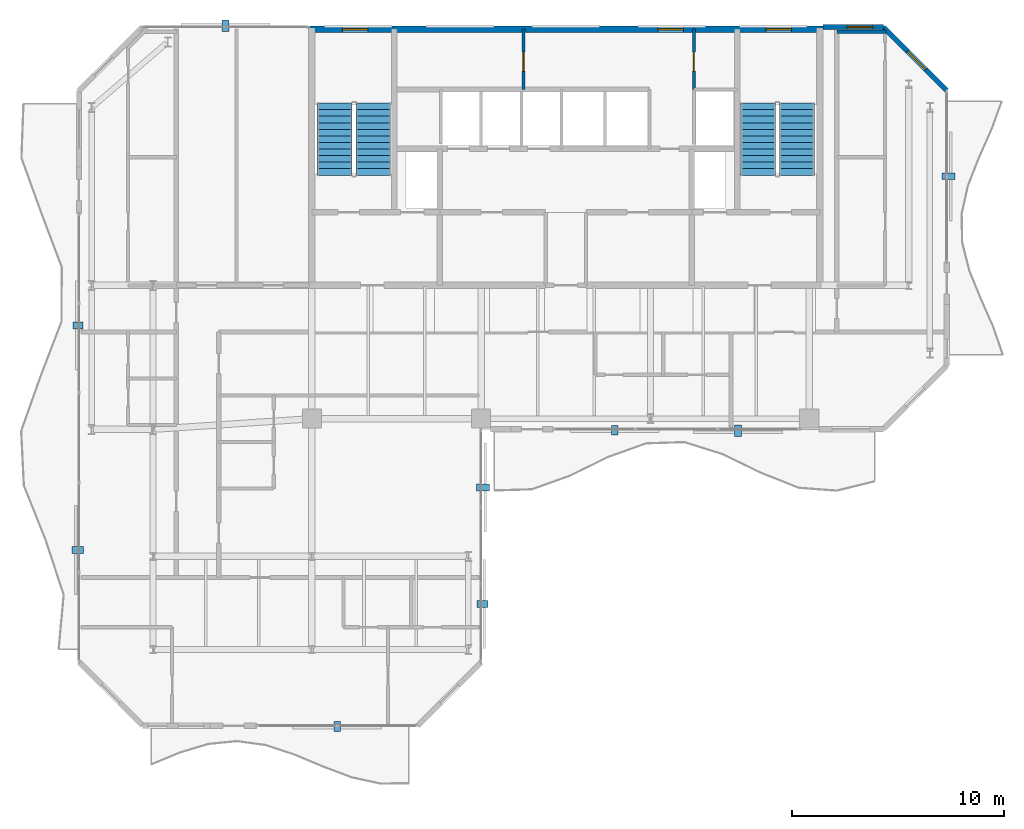
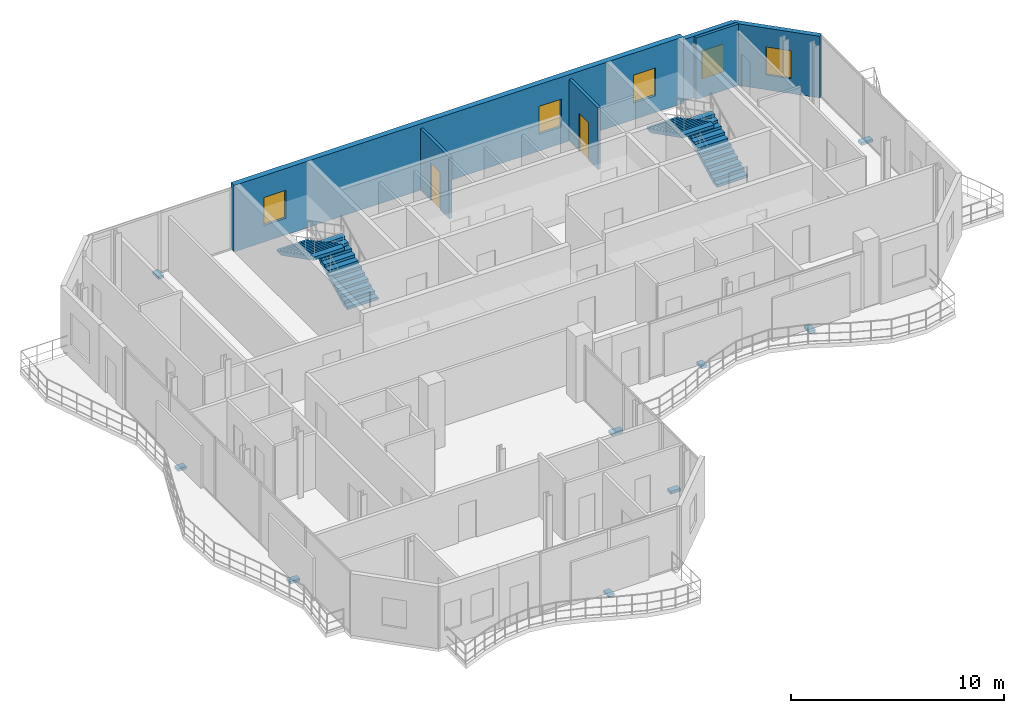
# One storey, part 20 of 23: 9 discrete accessories, 6 walls, 5 windows, 4 stair flights, 2 doors, 7 openings, 2 elements without a shape of their own.
"""IFC4 building model written with IfcOpenShell, lengths in metres."""

import ifcopenshell
import ifcopenshell.guid

model = None  # the IFC model being written
_history = None  # IfcOwnerHistory: only IFC2X3 demands one
_inside = {}  # id of a spatial element -> (the spatial element, [elements in it])
_under = {}  # id of a project, library or spatial element -> (it, [spatial elements below it])
_declared = {}  # id of a project -> (the project, [libraries it declares])
_typed = {}  # id of a type object -> (the type object, [elements of that type])
_made_of = {}  # id of a material, layer set ... -> (it, [elements and type objects made of it])


def new_model(schema):
    """Start an empty IFC model of exactly this schema.

    Asked for "IFC4X3", IfcOpenShell would pick the latest addendum, in which some entities
    have other attributes; the version numbers below select the first issue.
    IFC2X3 requires an IfcOwnerHistory on every rooted entity: one is made here for all.
    """
    global model, _history
    if schema == "IFC4X3":
        model = ifcopenshell.file(schema_version=(4, 3, 0, 0))
    else:
        model = ifcopenshell.file(schema=schema)
    _inside.clear()
    _under.clear()
    _declared.clear()
    _typed.clear()
    _made_of.clear()
    _history = None
    if model.schema == "IFC2X3":
        org = make("IfcOrganization", Name="unknown")
        user = make(
            "IfcPersonAndOrganization",
            ThePerson=make("IfcPerson", FamilyName="unknown"),
            TheOrganization=org,
        )
        app = make(
            "IfcApplication",
            ApplicationDeveloper=org,
            Version="unknown",
            ApplicationFullName="unknown",
            ApplicationIdentifier="unknown",
        )
        _history = make(
            "IfcOwnerHistory",
            OwningUser=user,
            OwningApplication=app,
            ChangeAction="ADDED",
            CreationDate=0,
        )
    return model


def make(cls, **values):
    """One entity of the class cls with the attributes given. An attribute that is None is left unset."""
    return model.create_entity(
        cls, **{name: value for name, value in values.items() if value is not None}
    )


def rooted(cls, **values):
    """An entity with a GlobalId (a new one), such as an element, a storey or a relation."""
    return make(cls, GlobalId=ifcopenshell.guid.new(), OwnerHistory=_history, **values)


def si_unit(unit_type, name, prefix=None):
    """IfcSIUnit, for example si_unit("LENGTHUNIT", "METRE", prefix="MILLI")."""
    return make("IfcSIUnit", UnitType=unit_type, Prefix=prefix, Name=name)


def assignment(units):
    """IfcUnitAssignment: the units of a project."""
    return None if units is None else make("IfcUnitAssignment", Units=units)


def point(xyz):
    """IfcCartesianPoint."""
    return None if xyz is None else make("IfcCartesianPoint", Coordinates=xyz)


def direction(xyz):
    """IfcDirection."""
    return None if xyz is None else make("IfcDirection", DirectionRatios=xyz)


def frame(location, z_axis=None, x_axis=None):
    """IfcAxis2Placement3D, a coordinate frame: its origin and axes. An axis left out is left unset."""
    return make(
        "IfcAxis2Placement3D",
        Location=point(location),
        Axis=direction(z_axis),
        RefDirection=direction(x_axis),
    )


def frame_2d(location, x_axis=None):
    """IfcAxis2Placement2D, a coordinate frame in the plane: its origin and x axis."""
    return make(
        "IfcAxis2Placement2D", Location=point(location), RefDirection=direction(x_axis)
    )


def origin():
    """The frame at (0, 0, 0) with its axes left unset."""
    return frame((0.0, 0.0, 0.0))


def origin_2d():
    """The frame at (0, 0) in the plane with its x axis left unset."""
    return frame_2d((0.0, 0.0))


def place(relative_to, where):
    """IfcLocalPlacement: puts the frame where relative to a parent placement (None: the world)."""
    return make(
        "IfcLocalPlacement", PlacementRelTo=relative_to, RelativePlacement=where
    )


def context(
    kind, dimensions, precision=None, world=None, true_north=None, identifier=None
):
    """IfcGeometricRepresentationContext, for example the 3D "Model" context."""
    return make(
        "IfcGeometricRepresentationContext",
        ContextIdentifier=identifier,
        ContextType=kind,
        CoordinateSpaceDimension=dimensions,
        Precision=precision,
        WorldCoordinateSystem=world,
        TrueNorth=true_north,
    )


def subcontext(parent, identifier, kind, view, scale=None):
    """IfcGeometricRepresentationSubContext, for example "Body" below "Model"."""
    return make(
        "IfcGeometricRepresentationSubContext",
        ContextIdentifier=identifier,
        ContextType=kind,
        ParentContext=parent,
        TargetScale=scale,
        TargetView=view,
    )


def project(units=None, contexts=None):
    """IfcProject with its units and contexts."""
    return rooted(
        "IfcProject",
        Name="project",
        RepresentationContexts=contexts,
        UnitsInContext=assignment(units),
    )


def spatial(cls, under=None, at=None, **own):
    """A site, building, storey or space (cls), placed at a placement, below another one or the project."""
    s = rooted(cls, ObjectPlacement=at, **own)
    if under is not None:
        _under.setdefault(under.id(), (under, []))[1].append(s)
    return s


def polyline(points):
    """IfcPolyline through the points."""
    return make("IfcPolyline", Points=[point(p) for p in points])


def profile(cls, at=None, kind="AREA", **sizes):
    """A parametric profile (cls). Its sizes go by their IFC names, for example OverallWidth=200.0."""
    return make(cls, ProfileType=kind, Position=at, **sizes)


def rectangle(**sizes):
    """IfcRectangleProfileDef."""
    return profile("IfcRectangleProfileDef", **sizes)


def outline(outer, holes=None, kind="AREA"):
    """IfcArbitraryClosedProfileDef: a profile drawn as a closed curve; with holes, ...WithVoids."""
    if holes is None:
        return make("IfcArbitraryClosedProfileDef", ProfileType=kind, OuterCurve=outer)
    return make(
        "IfcArbitraryProfileDefWithVoids",
        ProfileType=kind,
        OuterCurve=outer,
        InnerCurves=holes,
    )


def extrude(swept, where, along, depth):
    """IfcExtrudedAreaSolid: the profile swept, set in the frame where, extruded along a direction by depth."""
    return make(
        "IfcExtrudedAreaSolid",
        SweptArea=swept,
        Position=where,
        ExtrudedDirection=direction(along),
        Depth=depth,
    )


def shape(context_of_items, identifier, shape_type, items):
    """IfcShapeRepresentation: the items that make up one representation, for example the "Body"."""
    return make(
        "IfcShapeRepresentation",
        ContextOfItems=context_of_items,
        RepresentationIdentifier=identifier,
        RepresentationType=shape_type,
        Items=items,
    )


def material(Name=None, Category=None):
    """IfcMaterial."""
    return make("IfcMaterial", Name=Name, Category=Category)


def layer(
    of_material, thickness, ventilated=None, Name=None, Category=None, Priority=None
):
    """IfcMaterialLayer: one layer of a wall or slab, of a material (None: an air gap)."""
    return make(
        "IfcMaterialLayer",
        Material=of_material,
        LayerThickness=thickness,
        IsVentilated=ventilated,
        Name=Name,
        Category=Category,
        Priority=Priority,
    )


def layer_set(layers, Name=None):
    """IfcMaterialLayerSet."""
    return make("IfcMaterialLayerSet", MaterialLayers=layers, LayerSetName=Name)


def made_of(thing, what):
    """Note that an element or type object is made of a material, layer set ...; save() writes the relation."""
    if what is not None:
        _made_of.setdefault(what.id(), (what, []))[1].append(thing)
    return thing


def type_object(cls, material=None, **own):
    """A type object (cls), such as IfcWallType, which elements share."""
    return made_of(rooted(cls, **own), material)


def element(
    cls,
    number,
    at=None,
    inside=None,
    cuts=None,
    type_object=None,
    material=None,
    context=None,
    identifier="Body",
    shape_type=None,
    held_by="IfcProductDefinitionShape",
    body=None,
    shapes=None,
    **own,
):
    """One element of the class cls, such as IfcWall. Its Tag is "e" and its number.

    at: its placement. inside: the storey or other place that contains it. cuts: it is an
    opening in that element (IfcRelVoidsElement). A single representation is given by context,
    identifier, shape_type and body (its items); several are given by shapes. held_by: the class
    of the entity that holds the representations. save() writes the other relations.
    """
    e = rooted(cls, Tag="e%d" % number, ObjectPlacement=at, **own)
    if body is not None:
        shapes = [shape(context, identifier, shape_type, body)]
    if shapes is not None:
        e.Representation = make(held_by, Representations=shapes)
    if inside is not None:
        _inside.setdefault(inside.id(), (inside, []))[1].append(e)
    if cuts is not None:
        rooted(
            "IfcRelVoidsElement", RelatingBuildingElement=cuts, RelatedOpeningElement=e
        )
    if type_object is not None:
        _typed.setdefault(type_object.id(), (type_object, []))[1].append(e)
    return made_of(e, material)


def fill(opening, filler):
    """IfcRelFillsElement: the door or window that sits in an opening."""
    return rooted(
        "IfcRelFillsElement",
        RelatingOpeningElement=opening,
        RelatedBuildingElement=filler,
    )


def aggregate(whole, parts):
    """IfcRelAggregates: a whole, such as a stair, and the parts it consists of."""
    return rooted("IfcRelAggregates", RelatingObject=whole, RelatedObjects=parts)


def save(model, path):
    """Write the relations noted so far, then the file.

    IfcRelAggregates (storeys below a building ...), IfcRelContainedInSpatialStructure (elements
    in a storey), IfcRelDefinesByType, IfcRelAssociatesMaterial and IfcRelDeclares: one each for
    every whole, place, type object, material and project.
    """
    for whole, parts in _under.values():
        aggregate(whole, parts)
    for where, things in _inside.values():
        rooted(
            "IfcRelContainedInSpatialStructure",
            RelatedElements=things,
            RelatingStructure=where,
        )
    for kind, things in _typed.values():
        rooted("IfcRelDefinesByType", RelatedObjects=things, RelatingType=kind)
    for what, things in _made_of.values():
        rooted("IfcRelAssociatesMaterial", RelatedObjects=things, RelatingMaterial=what)
    for by, libraries in _declared.values():
        rooted("IfcRelDeclares", RelatingContext=by, RelatedDefinitions=libraries)
    model.write(path)


model = new_model("IFC4")

# Units and contexts
model_context = context("Model", 3, precision=1e-05, world=origin(), true_north=direction((0.0, 1.0)))
body_context = subcontext(model_context, "Body", "Model", "MODEL_VIEW")
ifc_project = project(units=[si_unit("LENGTHUNIT", "METRE"), si_unit("AREAUNIT", "SQUARE_METRE"), si_unit("VOLUMEUNIT", "CUBIC_METRE"), si_unit("PLANEANGLEUNIT", "RADIAN"), si_unit("MASSUNIT", "GRAM", prefix="KILO")], contexts=[model_context])

# Site, building, storey
site_placement = place(None, origin())
site = spatial("IfcSite", under=ifc_project, at=site_placement, CompositionType="ELEMENT")
building_placement = place(site_placement, origin())
building = spatial("IfcBuilding", under=site, at=building_placement, Name="Catumbela Crestline Tower", CompositionType="ELEMENT")
storey_placement = place(building_placement, frame((0.0, 0.0, 245.0)))
storey = spatial("IfcBuildingStorey", under=building, at=storey_placement, Name="L63", CompositionType="ELEMENT", Elevation=245.0)

# Wall, openings, windows
ifc_material_1 = material(Name="Concrete C45/55", Category="concrete")
ifc_layer_1 = layer(ifc_material_1, 0.3, Name="Concrete C45/55")
ifc_layer_set_1 = layer_set([ifc_layer_1], Name="Concrete C45/55")
wall_type_1 = type_object("IfcWallType", Name="CW-300E", PredefinedType="SHEAR", material=ifc_layer_set_1)
wall_1_placement = place(storey_placement, frame((15.85, 42.9, 0.0), z_axis=(0.0, 0.0, 1.0), x_axis=(1.0, 0.0, 0.0)))
wall_1 = element("IfcWall", 1, at=wall_1_placement, inside=storey, type_object=wall_type_1, Name="L63 Structural Core Shear Wall N", PredefinedType="SHEAR", context=body_context, shape_type="SweptSolid", body=[
    extrude(rectangle(XDim=24.3, YDim=0.3, at=frame_2d((12.15, 0.0))), origin(), (0.0, 0.0, 1.0), 3.8),
])
opening_1_placement = place(wall_1_placement, frame((1.6, 0.0, 0.95)))
opening_1 = element("IfcOpeningElement", 2, at=opening_1_placement, cuts=wall_1, Name="Opening WN-02", PredefinedType="OPENING", context=body_context, shape_type="SweptSolid", body=[
    extrude(rectangle(XDim=1.2, YDim=1.6, at=frame_2d((0.6, 0.8))), frame((0.0, 0.16, 0.0), z_axis=(0.0, -1.0, 0.0), x_axis=(1.0, 0.0, 0.0)), (0.0, 0.0, 1.0), 0.32),
])
opening_2_placement = place(wall_1_placement, frame((16.5, 0.0, 0.95)))
opening_2 = element("IfcOpeningElement", 3, at=opening_2_placement, cuts=wall_1, Name="Opening WN-02", PredefinedType="OPENING", context=body_context, shape_type="SweptSolid", body=[
    extrude(rectangle(XDim=1.2, YDim=1.6, at=frame_2d((0.6, 0.8))), frame((0.0, 0.16, 0.0), z_axis=(0.0, -1.0, 0.0), x_axis=(1.0, 0.0, 0.0)), (0.0, 0.0, 1.0), 0.32),
])
opening_3_placement = place(wall_1_placement, frame((21.6, 0.0, 0.95)))
opening_3 = element("IfcOpeningElement", 4, at=opening_3_placement, cuts=wall_1, Name="Opening WN-02", PredefinedType="OPENING", context=body_context, shape_type="SweptSolid", body=[
    extrude(rectangle(XDim=1.2, YDim=1.6, at=frame_2d((0.6, 0.8))), frame((0.0, 0.16, 0.0), z_axis=(0.0, -1.0, 0.0), x_axis=(1.0, 0.0, 0.0)), (0.0, 0.0, 1.0), 0.32),
])
ifc_material_2 = material(Name="Low-E laminated solar-control double glazing", Category="glass")
window_type = type_object("IfcWindowType", Name="WO-1200", PartitioningType="SINGLE_PANEL", PredefinedType="WINDOW", material=ifc_material_2)
window_1_placement = place(opening_1_placement, origin())
window_1 = element("IfcWindow", 5, at=window_1_placement, inside=storey, type_object=window_type, Name="L63 North Core Daylight Vision Window 465", OverallHeight=1.6, OverallWidth=1.2, PartitioningType="SINGLE_PANEL", PredefinedType="WINDOW", context=body_context, shape_type="SweptSolid", body=[
    extrude(rectangle(XDim=1.2, YDim=1.6, at=frame_2d((0.6, 0.8))), frame((0.0, 0.03, 0.0), z_axis=(0.0, -1.0, 0.0), x_axis=(1.0, 0.0, 0.0)), (0.0, 0.0, 1.0), 0.06),
])
fill(opening_1, window_1)
window_2_placement = place(opening_2_placement, origin())
window_2 = element("IfcWindow", 6, at=window_2_placement, inside=storey, type_object=window_type, Name="L63 North Core Daylight Vision Window 466", OverallHeight=1.6, OverallWidth=1.2, PartitioningType="SINGLE_PANEL", PredefinedType="WINDOW", context=body_context, shape_type="SweptSolid", body=[
    extrude(rectangle(XDim=1.2, YDim=1.6, at=frame_2d((0.6, 0.8))), frame((0.0, 0.03, 0.0), z_axis=(0.0, -1.0, 0.0), x_axis=(1.0, 0.0, 0.0)), (0.0, 0.0, 1.0), 0.06),
])
fill(opening_2, window_2)
window_3_placement = place(opening_3_placement, origin())
window_3 = element("IfcWindow", 7, at=window_3_placement, inside=storey, type_object=window_type, Name="L63 North Core Daylight Vision Window 467", OverallHeight=1.6, OverallWidth=1.2, PartitioningType="SINGLE_PANEL", PredefinedType="WINDOW", context=body_context, shape_type="SweptSolid", body=[
    extrude(rectangle(XDim=1.2, YDim=1.6, at=frame_2d((0.6, 0.8))), frame((0.0, 0.03, 0.0), z_axis=(0.0, -1.0, 0.0), x_axis=(1.0, 0.0, 0.0)), (0.0, 0.0, 1.0), 0.06),
])
fill(opening_3, window_3)

# Wall, opening, window
ifc_material_3 = material(Name="Angolan grey-ochre granite", Category="masonry")
ifc_layer_2 = layer(ifc_material_3, 0.25, Name="Angolan grey-ochre granite")
ifc_layer_set_2 = layer_set([ifc_layer_2], Name="Angolan grey-ochre granite")
wall_type_2 = type_object("IfcWallType", Name="WE-250", PredefinedType="STANDARD", material=ifc_layer_set_2)
wall_2_placement = place(storey_placement, frame((46.0, 40.0, 0.0), z_axis=(0.0, 0.0, 1.0), x_axis=(-0.707106781187, 0.707106781187, 0.0)))
wall_2 = element("IfcWall", 8, at=wall_2_placement, inside=storey, type_object=wall_type_2, Name="L63 Granite Punched Window Wall 6-1", PredefinedType="STANDARD", context=body_context, shape_type="SweptSolid", body=[
    extrude(rectangle(XDim=4.2426, YDim=0.25, at=frame_2d((2.1213, 0.0))), origin(), (0.0, 0.0, 1.0), 3.53),
])
opening_4_placement = place(wall_2_placement, frame((1.4111, 0.0, 0.85)))
opening_4 = element("IfcOpeningElement", 9, at=opening_4_placement, cuts=wall_2, Name="Opening WN-02", PredefinedType="OPENING", context=body_context, shape_type="SweptSolid", body=[
    extrude(rectangle(XDim=1.2, YDim=1.6, at=frame_2d((0.6, 0.8))), frame((0.0, 0.135, 0.0), z_axis=(0.0, -1.0, 0.0), x_axis=(1.0, 0.0, 0.0)), (0.0, 0.0, 1.0), 0.27),
])
window_4_placement = place(opening_4_placement, origin())
window_4 = element("IfcWindow", 10, at=window_4_placement, inside=storey, type_object=window_type, Name="L63 Facade Vision Window 474", OverallHeight=1.6, OverallWidth=1.2, PartitioningType="SINGLE_PANEL", PredefinedType="WINDOW", context=body_context, shape_type="SweptSolid", body=[
    extrude(rectangle(XDim=1.2, YDim=1.6, at=frame_2d((0.6, 0.8))), frame((0.0, 0.03, 0.0), z_axis=(0.0, -1.0, 0.0), x_axis=(1.0, 0.0, 0.0)), (0.0, 0.0, 1.0), 0.06),
])
fill(opening_4, window_4)

wall_3_placement = place(storey_placement, frame((43.0, 43.0, 0.0), z_axis=(0.0, 0.0, 1.0), x_axis=(-1.0, 0.0, 0.0)))
wall_3 = element("IfcWall", 11, at=wall_3_placement, inside=storey, type_object=wall_type_2, Name="L63 Granite Punched Window Wall 7-1", PredefinedType="STANDARD", context=body_context, shape_type="SweptSolid", body=[
    extrude(rectangle(XDim=2.86, YDim=0.25, at=frame_2d((1.43, 0.0))), origin(), (0.0, 0.0, 1.0), 3.53),
])
opening_5_placement = place(wall_3_placement, frame((0.51, 0.0, 0.85)))
opening_5 = element("IfcOpeningElement", 12, at=opening_5_placement, cuts=wall_3, Name="Opening WN-02", PredefinedType="OPENING", context=body_context, shape_type="SweptSolid", body=[
    extrude(rectangle(XDim=1.2, YDim=1.6, at=frame_2d((0.6, 0.8))), frame((0.0, 0.135, 0.0), z_axis=(0.0, -1.0, 0.0), x_axis=(1.0, 0.0, 0.0)), (0.0, 0.0, 1.0), 0.27),
])
window_5_placement = place(opening_5_placement, origin())
window_5 = element("IfcWindow", 13, at=window_5_placement, inside=storey, type_object=window_type, Name="L63 Facade Vision Window 475", OverallHeight=1.6, OverallWidth=1.2, PartitioningType="SINGLE_PANEL", PredefinedType="WINDOW", context=body_context, shape_type="SweptSolid", body=[
    extrude(rectangle(XDim=1.2, YDim=1.6, at=frame_2d((0.6, 0.8))), frame((0.0, 0.03, 0.0), z_axis=(0.0, -1.0, 0.0), x_axis=(1.0, 0.0, 0.0)), (0.0, 0.0, 1.0), 0.06),
])
fill(opening_5, window_5)

# Wall, opening, door
ifc_material_4 = material(Name="Acoustic gypsum and mineral-wool partition")
ifc_layer_3 = layer(ifc_material_4, 0.15, Name="Acoustic gypsum and mineral-wool partition")
ifc_layer_set_3 = layer_set([ifc_layer_3], Name="Acoustic gypsum and mineral-wool partition")
wall_type_3 = type_object("IfcWallType", Name="WP-150", PredefinedType="PARTITIONING", material=ifc_layer_set_3)
wall_4_placement = place(storey_placement, frame((34.05, 40.05, 0.0), z_axis=(0.0, 0.0, 1.0), x_axis=(0.0, 1.0, 0.0)))
wall_4 = element("IfcWall", 14, at=wall_4_placement, inside=storey, type_object=wall_type_3, Name="L63 Interior Partition PW-L63-CR-EW", PredefinedType="PARTITIONING", context=body_context, shape_type="SweptSolid", body=[
    extrude(rectangle(XDim=2.85, YDim=0.15, at=frame_2d((1.425, 0.0))), origin(), (0.0, 0.0, 1.0), 3.53),
])
opening_6_placement = place(wall_4_placement, frame((0.865, 0.0, 0.0)))
opening_6 = element("IfcOpeningElement", 15, at=opening_6_placement, cuts=wall_4, Name="Opening DF9-090", PredefinedType="OPENING", context=body_context, shape_type="SweptSolid", body=[
    extrude(rectangle(XDim=0.9, YDim=2.15, at=frame_2d((0.45, 1.075))), frame((0.0, 0.085, 0.0), z_axis=(0.0, -1.0, 0.0), x_axis=(1.0, 0.0, 0.0)), (0.0, 0.0, 1.0), 0.17),
])
ifc_material_5 = material(Name="Stainless steel EN 1.4401", Category="steel")
door_type = type_object("IfcDoorType", Name="DF9-090", OperationType="NOTDEFINED", PredefinedType="DOOR", material=ifc_material_5)
door_1_placement = place(opening_6_placement, origin())
door_1 = element("IfcDoor", 16, at=door_1_placement, inside=storey, type_object=door_type, Name="L63 Interior Door DR-L63-CREAST", OperationType="SINGLE_SWING_RIGHT", OverallHeight=2.15, OverallWidth=0.9, PredefinedType="DOOR", context=body_context, shape_type="SweptSolid", body=[
    extrude(rectangle(XDim=0.9, YDim=2.15, at=frame_2d((0.45, 1.075))), frame((0.0, 0.025, 0.0), z_axis=(0.0, -1.0, 0.0), x_axis=(1.0, 0.0, 0.0)), (0.0, 0.0, 1.0), 0.05),
])
fill(opening_6, door_1)

wall_5_placement = place(storey_placement, frame((26.0, 40.05, 0.0), z_axis=(0.0, 0.0, 1.0), x_axis=(0.0, 1.0, 0.0)))
wall_5 = element("IfcWall", 17, at=wall_5_placement, inside=storey, type_object=wall_type_3, Name="L63 Interior Partition PW-L63-CR-WW", PredefinedType="PARTITIONING", context=body_context, shape_type="SweptSolid", body=[
    extrude(rectangle(XDim=2.85, YDim=0.15, at=frame_2d((1.425, 0.0))), origin(), (0.0, 0.0, 1.0), 3.53),
])
opening_7_placement = place(wall_5_placement, frame((0.865, 0.0, 0.0)))
opening_7 = element("IfcOpeningElement", 18, at=opening_7_placement, cuts=wall_5, Name="Opening DF9-090", PredefinedType="OPENING", context=body_context, shape_type="SweptSolid", body=[
    extrude(rectangle(XDim=0.9, YDim=2.15, at=frame_2d((0.45, 1.075))), frame((0.0, 0.085, 0.0), z_axis=(0.0, -1.0, 0.0), x_axis=(1.0, 0.0, 0.0)), (0.0, 0.0, 1.0), 0.17),
])
door_2_placement = place(opening_7_placement, origin())
door_2 = element("IfcDoor", 19, at=door_2_placement, inside=storey, type_object=door_type, Name="L63 Interior Door DR-L63-CRWEST", OperationType="SINGLE_SWING_LEFT", OverallHeight=2.15, OverallWidth=0.9, PredefinedType="DOOR", context=body_context, shape_type="SweptSolid", body=[
    extrude(rectangle(XDim=0.9, YDim=2.15, at=frame_2d((0.45, 1.075))), frame((0.0, 0.025, 0.0), z_axis=(0.0, -1.0, 0.0), x_axis=(1.0, 0.0, 0.0)), (0.0, 0.0, 1.0), 0.05),
])
fill(opening_7, door_2)

# Wall
wall_6_placement = place(storey_placement, frame((40.8, 42.78, 0.0), z_axis=(0.0, 0.0, 1.0), x_axis=(1.0, 0.0, 0.0)))
element("IfcWall", 20, at=wall_6_placement, inside=storey, type_object=wall_type_3, Name="L63 Interior Partition PW-L63-NE1-BTH-BCL-2", PredefinedType="PARTITIONING", context=body_context, shape_type="SweptSolid", body=[
    extrude(rectangle(XDim=2.32, YDim=0.15, at=frame_2d((1.16, 0.0))), origin(), (0.0, 0.0, 1.0), 3.53),
])

# Stair, stair flights
stair_type = type_object("IfcStairType", Name="ST-DLG", PredefinedType="HALF_TURN_STAIR", material=ifc_material_1)
stair_1_placement = place(storey_placement, origin())
stair_1 = element("IfcStair", 21, at=stair_1_placement, inside=storey, type_object=stair_type, Name="L63 West Core Pressurised Exit Stair ST-01", PredefinedType="HALF_TURN_STAIR")
stair_flight_type = type_object("IfcStairFlightType", Name="SF-1583", PredefinedType="STRAIGHT", material=ifc_material_1)
stair_flight_1_placement = place(storey_placement, frame((18.92, 36.0, 0.0), z_axis=(0.0, 0.0, 1.0), x_axis=(0.0, 1.0, 0.0)))
stair_flight_1 = element("IfcStairFlight", 22, at=stair_flight_1_placement, type_object=stair_flight_type, Name="ST-01 flight 1", NumberOfRisers=12, NumberOfTreads=11, PredefinedType="STRAIGHT", RiserHeight=0.158333333, TreadLength=0.31, context=body_context, shape_type="SweptSolid", body=[
    extrude(outline(polyline([(0.0, 0.0), (0.0, 0.1583), (0.31, 0.1583), (0.31, 0.3167), (0.62, 0.3167), (0.62, 0.475), (0.93, 0.475), (0.93, 0.6333), (1.24, 0.6333), (1.24, 0.7917), (1.55, 0.7917), (1.55, 0.95), (1.86, 0.95), (1.86, 1.1083), (2.17, 1.1083), (2.17, 1.2667), (2.48, 1.2667), (2.48, 1.425), (2.79, 1.425), (2.79, 1.5833), (3.1, 1.5833), (3.1, 1.7417), (3.41, 1.7417), (3.41, 1.9), (3.41, 1.562), (0.3518, 0.0), (0.0, 0.0)])), frame((0.0, 0.83, 0.0), z_axis=(0.0, -1.0, 0.0), x_axis=(1.0, 0.0, 0.0)), (0.0, 0.0, 1.0), 1.66),
])
stair_flight_2_placement = place(storey_placement, frame((17.08, 39.41, 1.9), z_axis=(0.0, 0.0, 1.0), x_axis=(0.0, -1.0, 0.0)))
stair_flight_2 = element("IfcStairFlight", 23, at=stair_flight_2_placement, type_object=stair_flight_type, Name="ST-01 flight 2", NumberOfRisers=12, NumberOfTreads=11, PredefinedType="STRAIGHT", RiserHeight=0.158333333, TreadLength=0.31, context=body_context, shape_type="SweptSolid", body=[
    extrude(outline(polyline([(0.0, 0.0), (0.0, 0.1583), (0.31, 0.1583), (0.31, 0.3167), (0.62, 0.3167), (0.62, 0.475), (0.93, 0.475), (0.93, 0.6333), (1.24, 0.6333), (1.24, 0.7917), (1.55, 0.7917), (1.55, 0.95), (1.86, 0.95), (1.86, 1.1083), (2.17, 1.1083), (2.17, 1.2667), (2.48, 1.2667), (2.48, 1.425), (2.79, 1.425), (2.79, 1.5833), (3.1, 1.5833), (3.1, 1.7417), (3.41, 1.7417), (3.41, 1.9), (3.41, 1.562), (0.3518, 0.0), (0.0, 0.0)])), frame((0.0, 0.83, 0.0), z_axis=(0.0, -1.0, 0.0), x_axis=(1.0, 0.0, 0.0)), (0.0, 0.0, 1.0), 1.66),
])
aggregate(stair_1, [stair_flight_1, stair_flight_2])

stair_2_placement = place(storey_placement, origin())
stair_2 = element("IfcStair", 24, at=stair_2_placement, inside=storey, type_object=stair_type, Name="L63 East Core Pressurised Exit Stair ST-02", PredefinedType="HALF_TURN_STAIR")
stair_flight_3_placement = place(storey_placement, frame((38.92, 36.0, 0.0), z_axis=(0.0, 0.0, 1.0), x_axis=(0.0, 1.0, 0.0)))
stair_flight_3 = element("IfcStairFlight", 25, at=stair_flight_3_placement, type_object=stair_flight_type, Name="ST-02 flight 1", NumberOfRisers=12, NumberOfTreads=11, PredefinedType="STRAIGHT", RiserHeight=0.158333333, TreadLength=0.31, context=body_context, shape_type="SweptSolid", body=[
    extrude(outline(polyline([(0.0, 0.0), (0.0, 0.1583), (0.31, 0.1583), (0.31, 0.3167), (0.62, 0.3167), (0.62, 0.475), (0.93, 0.475), (0.93, 0.6333), (1.24, 0.6333), (1.24, 0.7917), (1.55, 0.7917), (1.55, 0.95), (1.86, 0.95), (1.86, 1.1083), (2.17, 1.1083), (2.17, 1.2667), (2.48, 1.2667), (2.48, 1.425), (2.79, 1.425), (2.79, 1.5833), (3.1, 1.5833), (3.1, 1.7417), (3.41, 1.7417), (3.41, 1.9), (3.41, 1.562), (0.3518, 0.0), (0.0, 0.0)])), frame((0.0, 0.83, 0.0), z_axis=(0.0, -1.0, 0.0), x_axis=(1.0, 0.0, 0.0)), (0.0, 0.0, 1.0), 1.66),
])
stair_flight_4_placement = place(storey_placement, frame((37.08, 39.41, 1.9), z_axis=(0.0, 0.0, 1.0), x_axis=(0.0, -1.0, 0.0)))
stair_flight_4 = element("IfcStairFlight", 26, at=stair_flight_4_placement, type_object=stair_flight_type, Name="ST-02 flight 2", NumberOfRisers=12, NumberOfTreads=11, PredefinedType="STRAIGHT", RiserHeight=0.158333333, TreadLength=0.31, context=body_context, shape_type="SweptSolid", body=[
    extrude(outline(polyline([(0.0, 0.0), (0.0, 0.1583), (0.31, 0.1583), (0.31, 0.3167), (0.62, 0.3167), (0.62, 0.475), (0.93, 0.475), (0.93, 0.6333), (1.24, 0.6333), (1.24, 0.7917), (1.55, 0.7917), (1.55, 0.95), (1.86, 0.95), (1.86, 1.1083), (2.17, 1.1083), (2.17, 1.2667), (2.48, 1.2667), (2.48, 1.425), (2.79, 1.425), (2.79, 1.5833), (3.1, 1.5833), (3.1, 1.7417), (3.41, 1.7417), (3.41, 1.9), (3.41, 1.562), (0.3518, 0.0), (0.0, 0.0)])), frame((0.0, 0.83, 0.0), z_axis=(0.0, -1.0, 0.0), x_axis=(1.0, 0.0, 0.0)), (0.0, 0.0, 1.0), 1.66),
])
aggregate(stair_2, [stair_flight_3, stair_flight_4])

# Discrete accessories
discrete_accessory_type = type_object("IfcDiscreteAccessoryType", Name="BK-SS1", PredefinedType="BRACKET", material=ifc_material_5)
discrete_accessory_1_placement = place(storey_placement, frame((17.2, 9.955, -0.18), z_axis=(0.0, 0.0, 1.0), x_axis=(1.0, 0.0, 0.0)))
element("IfcDiscreteAccessory", 27, at=discrete_accessory_1_placement, inside=storey, type_object=discrete_accessory_type, Name="L63 Solar Screen Stainless Bracket 759", PredefinedType="BRACKET", context=body_context, shape_type="SweptSolid", body=[
    extrude(rectangle(XDim=0.32, YDim=0.46, at=origin_2d()), origin(), (0.0, 0.0, 1.0), 0.16),
])
discrete_accessory_2_placement = place(storey_placement, frame((24.065, 15.75, -0.18), z_axis=(0.0, 0.0, 1.0), x_axis=(0.0, 1.0, 0.0)))
element("IfcDiscreteAccessory", 28, at=discrete_accessory_2_placement, inside=storey, type_object=discrete_accessory_type, Name="L63 Solar Screen Stainless Bracket 760", PredefinedType="BRACKET", context=body_context, shape_type="SweptSolid", body=[
    extrude(rectangle(XDim=0.32, YDim=0.54, at=origin_2d()), origin(), (0.0, 0.0, 1.0), 0.16),
])
discrete_accessory_3_placement = place(storey_placement, frame((24.085, 21.25, -0.18), z_axis=(0.0, 0.0, 1.0), x_axis=(0.0, 1.0, 0.0)))
element("IfcDiscreteAccessory", 29, at=discrete_accessory_3_placement, inside=storey, type_object=discrete_accessory_type, Name="L63 Solar Screen Stainless Bracket 761", PredefinedType="BRACKET", context=body_context, shape_type="SweptSolid", body=[
    extrude(rectangle(XDim=0.32, YDim=0.62, at=origin_2d()), origin(), (0.0, 0.0, 1.0), 0.16),
])
discrete_accessory_4_placement = place(storey_placement, frame((30.3125, 23.955, -0.18), z_axis=(0.0, 0.0, 1.0), x_axis=(1.0, 0.0, 0.0)))
element("IfcDiscreteAccessory", 30, at=discrete_accessory_4_placement, inside=storey, type_object=discrete_accessory_type, Name="L63 Solar Screen Stainless Bracket 762", PredefinedType="BRACKET", context=body_context, shape_type="SweptSolid", body=[
    extrude(rectangle(XDim=0.32, YDim=0.46, at=origin_2d()), origin(), (0.0, 0.0, 1.0), 0.16),
])
discrete_accessory_5_placement = place(storey_placement, frame((36.1375, 23.935, -0.18), z_axis=(0.0, 0.0, 1.0), x_axis=(1.0, 0.0, 0.0)))
element("IfcDiscreteAccessory", 31, at=discrete_accessory_5_placement, inside=storey, type_object=discrete_accessory_type, Name="L63 Solar Screen Stainless Bracket 763", PredefinedType="BRACKET", context=body_context, shape_type="SweptSolid", body=[
    extrude(rectangle(XDim=0.32, YDim=0.54, at=origin_2d()), origin(), (0.0, 0.0, 1.0), 0.16),
])
discrete_accessory_6_placement = place(storey_placement, frame((46.085, 35.95, -0.18), z_axis=(0.0, 0.0, 1.0), x_axis=(0.0, 1.0, 0.0)))
element("IfcDiscreteAccessory", 32, at=discrete_accessory_6_placement, inside=storey, type_object=discrete_accessory_type, Name="L63 Solar Screen Stainless Bracket 764", PredefinedType="BRACKET", context=body_context, shape_type="SweptSolid", body=[
    extrude(rectangle(XDim=0.32, YDim=0.62, at=origin_2d()), origin(), (0.0, 0.0, 1.0), 0.16),
])
discrete_accessory_7_placement = place(storey_placement, frame((11.93, 43.065, -0.18), z_axis=(0.0, 0.0, 1.0), x_axis=(-1.0, 0.0, 0.0)))
element("IfcDiscreteAccessory", 33, at=discrete_accessory_7_placement, inside=storey, type_object=discrete_accessory_type, Name="L63 Solar Screen Stainless Bracket 765", PredefinedType="BRACKET", context=body_context, shape_type="SweptSolid", body=[
    extrude(rectangle(XDim=0.32, YDim=0.54, at=origin_2d()), origin(), (0.0, 0.0, 1.0), 0.16),
])
discrete_accessory_8_placement = place(storey_placement, frame((4.955, 28.9, -0.18), z_axis=(0.0, 0.0, 1.0), x_axis=(0.0, -1.0, 0.0)))
element("IfcDiscreteAccessory", 34, at=discrete_accessory_8_placement, inside=storey, type_object=discrete_accessory_type, Name="L63 Solar Screen Stainless Bracket 766", PredefinedType="BRACKET", context=body_context, shape_type="SweptSolid", body=[
    extrude(rectangle(XDim=0.32, YDim=0.46, at=origin_2d()), origin(), (0.0, 0.0, 1.0), 0.16),
])
discrete_accessory_9_placement = place(storey_placement, frame((4.935, 18.3, -0.18), z_axis=(0.0, 0.0, 1.0), x_axis=(0.0, -1.0, 0.0)))
element("IfcDiscreteAccessory", 35, at=discrete_accessory_9_placement, inside=storey, type_object=discrete_accessory_type, Name="L63 Solar Screen Stainless Bracket 767", PredefinedType="BRACKET", context=body_context, shape_type="SweptSolid", body=[
    extrude(rectangle(XDim=0.32, YDim=0.54, at=origin_2d()), origin(), (0.0, 0.0, 1.0), 0.16),
])

save(model, "model.ifc")
